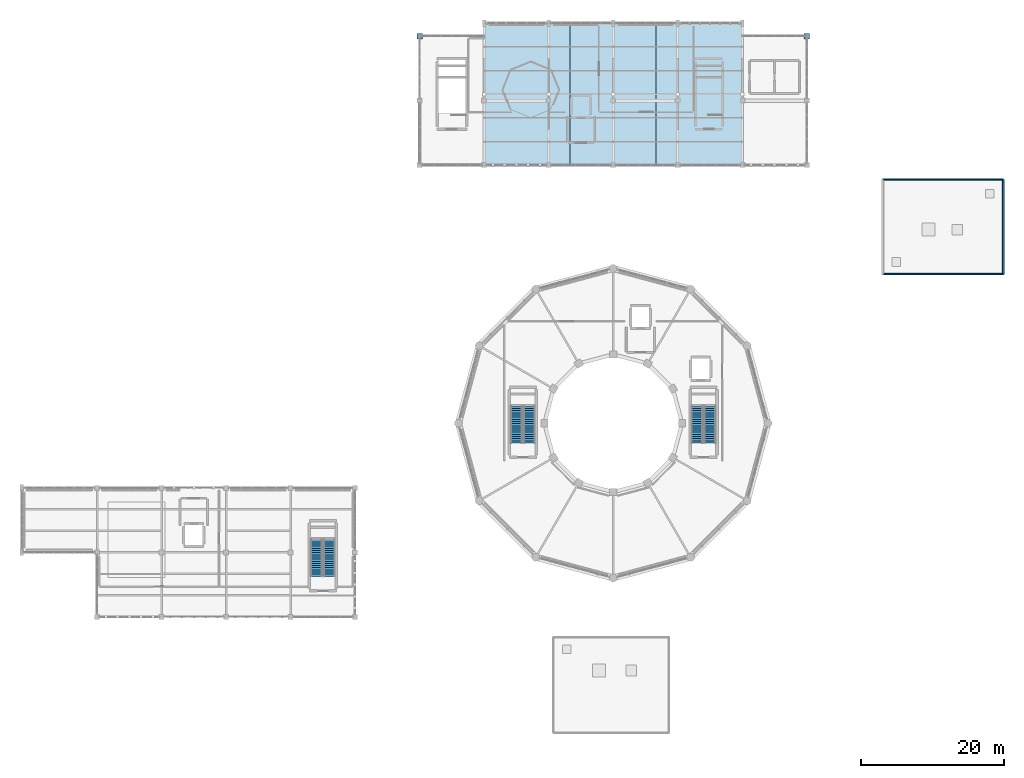
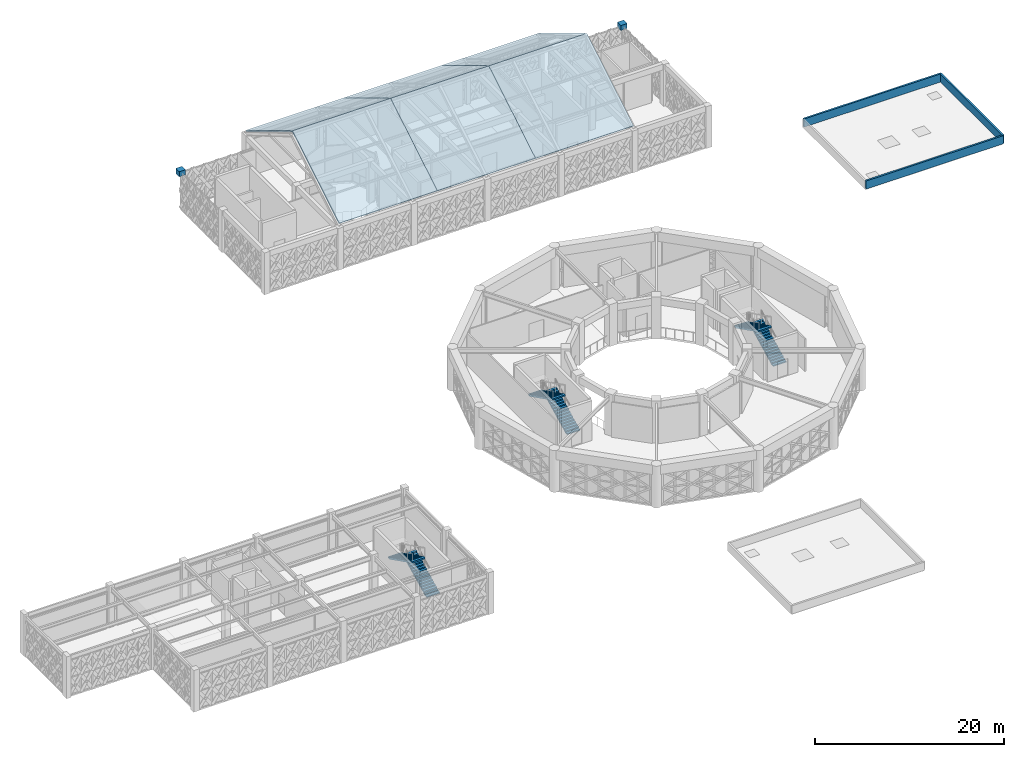
# One storey, part 67 of 72: 6 roofs, 6 stair flights, 3 walls, 2 discrete accessories, 3 elements without a shape of their own.
"""IFC4 building model written with IfcOpenShell, lengths in metres."""

import ifcopenshell
import ifcopenshell.guid

model = None  # the IFC model being written
_history = None  # IfcOwnerHistory: only IFC2X3 demands one
_inside = {}  # id of a spatial element -> (the spatial element, [elements in it])
_under = {}  # id of a project, library or spatial element -> (it, [spatial elements below it])
_declared = {}  # id of a project -> (the project, [libraries it declares])
_typed = {}  # id of a type object -> (the type object, [elements of that type])
_made_of = {}  # id of a material, layer set ... -> (it, [elements and type objects made of it])


def new_model(schema):
    """Start an empty IFC model of exactly this schema.

    Asked for "IFC4X3", IfcOpenShell would pick the latest addendum, in which some entities
    have other attributes; the version numbers below select the first issue.
    IFC2X3 requires an IfcOwnerHistory on every rooted entity: one is made here for all.
    """
    global model, _history
    if schema == "IFC4X3":
        model = ifcopenshell.file(schema_version=(4, 3, 0, 0))
    else:
        model = ifcopenshell.file(schema=schema)
    _inside.clear()
    _under.clear()
    _declared.clear()
    _typed.clear()
    _made_of.clear()
    _history = None
    if model.schema == "IFC2X3":
        org = make("IfcOrganization", Name="unknown")
        user = make(
            "IfcPersonAndOrganization",
            ThePerson=make("IfcPerson", FamilyName="unknown"),
            TheOrganization=org,
        )
        app = make(
            "IfcApplication",
            ApplicationDeveloper=org,
            Version="unknown",
            ApplicationFullName="unknown",
            ApplicationIdentifier="unknown",
        )
        _history = make(
            "IfcOwnerHistory",
            OwningUser=user,
            OwningApplication=app,
            ChangeAction="ADDED",
            CreationDate=0,
        )
    return model


def make(cls, **values):
    """One entity of the class cls with the attributes given. An attribute that is None is left unset."""
    return model.create_entity(
        cls, **{name: value for name, value in values.items() if value is not None}
    )


def rooted(cls, **values):
    """An entity with a GlobalId (a new one), such as an element, a storey or a relation."""
    return make(cls, GlobalId=ifcopenshell.guid.new(), OwnerHistory=_history, **values)


def si_unit(unit_type, name, prefix=None):
    """IfcSIUnit, for example si_unit("LENGTHUNIT", "METRE", prefix="MILLI")."""
    return make("IfcSIUnit", UnitType=unit_type, Prefix=prefix, Name=name)


def assignment(units):
    """IfcUnitAssignment: the units of a project."""
    return None if units is None else make("IfcUnitAssignment", Units=units)


def point(xyz):
    """IfcCartesianPoint."""
    return None if xyz is None else make("IfcCartesianPoint", Coordinates=xyz)


def direction(xyz):
    """IfcDirection."""
    return None if xyz is None else make("IfcDirection", DirectionRatios=xyz)


def frame(location, z_axis=None, x_axis=None):
    """IfcAxis2Placement3D, a coordinate frame: its origin and axes. An axis left out is left unset."""
    return make(
        "IfcAxis2Placement3D",
        Location=point(location),
        Axis=direction(z_axis),
        RefDirection=direction(x_axis),
    )


def frame_2d(location, x_axis=None):
    """IfcAxis2Placement2D, a coordinate frame in the plane: its origin and x axis."""
    return make(
        "IfcAxis2Placement2D", Location=point(location), RefDirection=direction(x_axis)
    )


def origin():
    """The frame at (0, 0, 0) with its axes left unset."""
    return frame((0.0, 0.0, 0.0))


def origin_2d():
    """The frame at (0, 0) in the plane with its x axis left unset."""
    return frame_2d((0.0, 0.0))


def place(relative_to, where):
    """IfcLocalPlacement: puts the frame where relative to a parent placement (None: the world)."""
    return make(
        "IfcLocalPlacement", PlacementRelTo=relative_to, RelativePlacement=where
    )


def context(
    kind, dimensions, precision=None, world=None, true_north=None, identifier=None
):
    """IfcGeometricRepresentationContext, for example the 3D "Model" context."""
    return make(
        "IfcGeometricRepresentationContext",
        ContextIdentifier=identifier,
        ContextType=kind,
        CoordinateSpaceDimension=dimensions,
        Precision=precision,
        WorldCoordinateSystem=world,
        TrueNorth=true_north,
    )


def subcontext(parent, identifier, kind, view, scale=None):
    """IfcGeometricRepresentationSubContext, for example "Body" below "Model"."""
    return make(
        "IfcGeometricRepresentationSubContext",
        ContextIdentifier=identifier,
        ContextType=kind,
        ParentContext=parent,
        TargetScale=scale,
        TargetView=view,
    )


def project(units=None, contexts=None):
    """IfcProject with its units and contexts."""
    return rooted(
        "IfcProject",
        Name="project",
        RepresentationContexts=contexts,
        UnitsInContext=assignment(units),
    )


def spatial(cls, under=None, at=None, **own):
    """A site, building, storey or space (cls), placed at a placement, below another one or the project."""
    s = rooted(cls, ObjectPlacement=at, **own)
    if under is not None:
        _under.setdefault(under.id(), (under, []))[1].append(s)
    return s


def polyline(points):
    """IfcPolyline through the points."""
    return make("IfcPolyline", Points=[point(p) for p in points])


def profile(cls, at=None, kind="AREA", **sizes):
    """A parametric profile (cls). Its sizes go by their IFC names, for example OverallWidth=200.0."""
    return make(cls, ProfileType=kind, Position=at, **sizes)


def rectangle(**sizes):
    """IfcRectangleProfileDef."""
    return profile("IfcRectangleProfileDef", **sizes)


def outline(outer, holes=None, kind="AREA"):
    """IfcArbitraryClosedProfileDef: a profile drawn as a closed curve; with holes, ...WithVoids."""
    if holes is None:
        return make("IfcArbitraryClosedProfileDef", ProfileType=kind, OuterCurve=outer)
    return make(
        "IfcArbitraryProfileDefWithVoids",
        ProfileType=kind,
        OuterCurve=outer,
        InnerCurves=holes,
    )


def extrude(swept, where, along, depth):
    """IfcExtrudedAreaSolid: the profile swept, set in the frame where, extruded along a direction by depth."""
    return make(
        "IfcExtrudedAreaSolid",
        SweptArea=swept,
        Position=where,
        ExtrudedDirection=direction(along),
        Depth=depth,
    )


def shape(context_of_items, identifier, shape_type, items):
    """IfcShapeRepresentation: the items that make up one representation, for example the "Body"."""
    return make(
        "IfcShapeRepresentation",
        ContextOfItems=context_of_items,
        RepresentationIdentifier=identifier,
        RepresentationType=shape_type,
        Items=items,
    )


def material(Name=None, Category=None):
    """IfcMaterial."""
    return make("IfcMaterial", Name=Name, Category=Category)


def layer(
    of_material, thickness, ventilated=None, Name=None, Category=None, Priority=None
):
    """IfcMaterialLayer: one layer of a wall or slab, of a material (None: an air gap)."""
    return make(
        "IfcMaterialLayer",
        Material=of_material,
        LayerThickness=thickness,
        IsVentilated=ventilated,
        Name=Name,
        Category=Category,
        Priority=Priority,
    )


def layer_set(layers, Name=None):
    """IfcMaterialLayerSet."""
    return make("IfcMaterialLayerSet", MaterialLayers=layers, LayerSetName=Name)


def made_of(thing, what):
    """Note that an element or type object is made of a material, layer set ...; save() writes the relation."""
    if what is not None:
        _made_of.setdefault(what.id(), (what, []))[1].append(thing)
    return thing


def type_object(cls, material=None, **own):
    """A type object (cls), such as IfcWallType, which elements share."""
    return made_of(rooted(cls, **own), material)


def element(
    cls,
    number,
    at=None,
    inside=None,
    cuts=None,
    type_object=None,
    material=None,
    context=None,
    identifier="Body",
    shape_type=None,
    held_by="IfcProductDefinitionShape",
    body=None,
    shapes=None,
    **own,
):
    """One element of the class cls, such as IfcWall. Its Tag is "e" and its number.

    at: its placement. inside: the storey or other place that contains it. cuts: it is an
    opening in that element (IfcRelVoidsElement). A single representation is given by context,
    identifier, shape_type and body (its items); several are given by shapes. held_by: the class
    of the entity that holds the representations. save() writes the other relations.
    """
    e = rooted(cls, Tag="e%d" % number, ObjectPlacement=at, **own)
    if body is not None:
        shapes = [shape(context, identifier, shape_type, body)]
    if shapes is not None:
        e.Representation = make(held_by, Representations=shapes)
    if inside is not None:
        _inside.setdefault(inside.id(), (inside, []))[1].append(e)
    if cuts is not None:
        rooted(
            "IfcRelVoidsElement", RelatingBuildingElement=cuts, RelatedOpeningElement=e
        )
    if type_object is not None:
        _typed.setdefault(type_object.id(), (type_object, []))[1].append(e)
    return made_of(e, material)


def aggregate(whole, parts):
    """IfcRelAggregates: a whole, such as a stair, and the parts it consists of."""
    return rooted("IfcRelAggregates", RelatingObject=whole, RelatedObjects=parts)


def save(model, path):
    """Write the relations noted so far, then the file.

    IfcRelAggregates (storeys below a building ...), IfcRelContainedInSpatialStructure (elements
    in a storey), IfcRelDefinesByType, IfcRelAssociatesMaterial and IfcRelDeclares: one each for
    every whole, place, type object, material and project.
    """
    for whole, parts in _under.values():
        aggregate(whole, parts)
    for where, things in _inside.values():
        rooted(
            "IfcRelContainedInSpatialStructure",
            RelatedElements=things,
            RelatingStructure=where,
        )
    for kind, things in _typed.values():
        rooted("IfcRelDefinesByType", RelatedObjects=things, RelatingType=kind)
    for what, things in _made_of.values():
        rooted("IfcRelAssociatesMaterial", RelatedObjects=things, RelatingMaterial=what)
    for by, libraries in _declared.values():
        rooted("IfcRelDeclares", RelatingContext=by, RelatedDefinitions=libraries)
    model.write(path)


model = new_model("IFC4")

# Units and contexts
model_context = context("Model", 3, precision=1e-05, world=origin(), true_north=direction((0.0, 1.0)))
body_context = subcontext(model_context, "Body", "Model", "MODEL_VIEW")
ifc_project = project(units=[si_unit("LENGTHUNIT", "METRE"), si_unit("AREAUNIT", "SQUARE_METRE"), si_unit("VOLUMEUNIT", "CUBIC_METRE"), si_unit("PLANEANGLEUNIT", "RADIAN"), si_unit("MASSUNIT", "GRAM", prefix="KILO")], contexts=[model_context])

# Site, building, storey
site_placement = place(None, origin())
site = spatial("IfcSite", under=ifc_project, at=site_placement, CompositionType="ELEMENT")
building_placement = place(site_placement, origin())
building = spatial("IfcBuilding", under=site, at=building_placement, Name="Haizhuo Lancet Aquarium", CompositionType="ELEMENT")
storey_placement = place(building_placement, frame((0.0, 0.0, 21.60009765625)))
storey = spatial("IfcBuildingStorey", under=building, at=storey_placement, Name="L04", CompositionType="ELEMENT", Elevation=21.60009765625)

# Walls
ifc_material_1 = material(Name="Shandong Grey Limestone Ashlar", Category="masonry")
ifc_layer = layer(ifc_material_1, 0.219970703125)
ifc_layer_set = layer_set([ifc_layer], Name="Shandong Grey Limestone Ashlar")
wall_type = type_object("IfcWallType", Name="EWL-PAR-220", PredefinedType="PARAPET", material=ifc_layer_set)
wall_1_placement = place(storey_placement, frame((37.60009765625, 34.0, 0.0), z_axis=(0.0, 0.0, 1.0), x_axis=(1.0, 0.0, 0.0)))
element("IfcWall", 1, at=wall_1_placement, inside=storey, type_object=wall_type, Name="L04 V7 penthouse roof parapet 1", PredefinedType="PARAPET", context=body_context, shape_type="SweptSolid", body=[
    extrude(rectangle(XDim=16.7998046875, YDim=0.219970703125, at=frame_2d((8.39990234375, 0.0))), origin(), (0.0, 0.0, 1.0), 1.0498046875),
])
wall_2_placement = place(storey_placement, frame((54.39990234375, 34.0, 0.0), z_axis=(0.0, 0.0, 1.0), x_axis=(0.0, -1.0, 0.0)))
element("IfcWall", 2, at=wall_2_placement, inside=storey, type_object=wall_type, Name="L04 V7 penthouse roof parapet 2", PredefinedType="PARAPET", context=body_context, shape_type="SweptSolid", body=[
    extrude(rectangle(XDim=13.199951171875, YDim=0.219970703125, at=frame_2d((6.60009765625, 0.0))), origin(), (0.0, 0.0, 1.0), 1.0498046875),
])
wall_3_placement = place(storey_placement, frame((54.39990234375, 20.800048828125, 0.0), z_axis=(0.0, 0.0, 1.0), x_axis=(-1.0, 0.0, 0.0)))
element("IfcWall", 3, at=wall_3_placement, inside=storey, type_object=wall_type, Name="L04 V7 penthouse roof parapet 3", PredefinedType="PARAPET", context=body_context, shape_type="SweptSolid", body=[
    extrude(rectangle(XDim=16.7998046875, YDim=0.219970703125, at=frame_2d((8.39990234375, 0.0))), origin(), (0.0, 0.0, 1.0), 1.0498046875),
])

# Stair, stair flights
ifc_material_2 = material(Name="Concrete C40/50", Category="concrete")
stair_type = type_object("IfcStairType", Name="STR-HT-1600-54", PredefinedType="HALF_TURN_STAIR", material=ifc_material_2)
stair_1_placement = place(storey_placement, origin())
stair_1 = element("IfcStair", 4, at=stair_1_placement, inside=storey, type_object=stair_type, Name="L04 enclosed exit stair ST-01", PredefinedType="HALF_TURN_STAIR")
stair_flight_type = type_object("IfcStairFlightType", Name="FLT-STR-1600-54", PredefinedType="STRAIGHT", material=ifc_material_2)
stair_flight_1_placement = place(storey_placement, frame((-11.699951171875, -2.75, 0.0), z_axis=(0.0, 0.0, 1.0), x_axis=(0.0, 1.0, 0.0)))
stair_flight_1 = element("IfcStairFlight", 5, at=stair_flight_1_placement, type_object=stair_flight_type, Name="ST-15 flight 1", NumberOfRisers=18, NumberOfTreads=17, PredefinedType="STRAIGHT", RiserHeight=0.15, TreadLength=0.3, context=body_context, shape_type="SweptSolid", body=[
    extrude(outline(polyline([(0.0, 0.0), (0.0, 0.14990234375), (0.300048828125, 0.14990234375), (0.300048828125, 0.300048828125), (0.60009765625, 0.300048828125), (0.60009765625, 0.449951171875), (0.89990234375, 0.449951171875), (0.89990234375, 0.60009765625), (1.199951171875, 0.60009765625), (1.199951171875, 0.75), (1.5, 0.75), (1.5, 0.89990234375), (1.800048828125, 0.89990234375), (1.800048828125, 1.050048828125), (2.10009765625, 1.050048828125), (2.10009765625, 1.199951171875), (2.39990234375, 1.199951171875), (2.39990234375, 1.35009765625), (2.699951171875, 1.35009765625), (2.699951171875, 1.5), (3.0, 1.5), (3.0, 1.64990234375), (3.300048828125, 1.64990234375), (3.300048828125, 1.800048828125), (3.60009765625, 1.800048828125), (3.60009765625, 1.949951171875), (3.89990234375, 1.949951171875), (3.89990234375, 2.10009765625), (4.199951171875, 2.10009765625), (4.199951171875, 2.25), (4.5, 2.25), (4.5, 2.39990234375), (4.800048828125, 2.39990234375), (4.800048828125, 2.550048828125), (5.10009765625, 2.550048828125), (5.10009765625, 2.699951171875), (5.10009765625, 2.37109375), (0.357666015625, 0.0), (0.0, 0.0)])), frame((0.0, 0.800048828125, 0.0), z_axis=(0.0, -1.0, 0.0), x_axis=(1.0, 0.0, 0.0)), (0.0, 0.0, 1.0), 1.60009765625),
])
stair_flight_2_placement = place(storey_placement, frame((-13.5, 2.35009765625, 2.699951171875), z_axis=(0.0, 0.0, 1.0), x_axis=(0.0, -1.0, 0.0)))
stair_flight_2 = element("IfcStairFlight", 6, at=stair_flight_2_placement, type_object=stair_flight_type, Name="ST-15 flight 2", NumberOfRisers=18, NumberOfTreads=17, PredefinedType="STRAIGHT", RiserHeight=0.15, TreadLength=0.3, context=body_context, shape_type="SweptSolid", body=[
    extrude(outline(polyline([(0.0, 0.0), (0.0, 0.14990234375), (0.300048828125, 0.14990234375), (0.300048828125, 0.300048828125), (0.60009765625, 0.300048828125), (0.60009765625, 0.449951171875), (0.89990234375, 0.449951171875), (0.89990234375, 0.60009765625), (1.199951171875, 0.60009765625), (1.199951171875, 0.75), (1.5, 0.75), (1.5, 0.89990234375), (1.800048828125, 0.89990234375), (1.800048828125, 1.050048828125), (2.10009765625, 1.050048828125), (2.10009765625, 1.199951171875), (2.39990234375, 1.199951171875), (2.39990234375, 1.35009765625), (2.699951171875, 1.35009765625), (2.699951171875, 1.5), (3.0, 1.5), (3.0, 1.64990234375), (3.300048828125, 1.64990234375), (3.300048828125, 1.800048828125), (3.60009765625, 1.800048828125), (3.60009765625, 1.949951171875), (3.89990234375, 1.949951171875), (3.89990234375, 2.10009765625), (4.199951171875, 2.10009765625), (4.199951171875, 2.25), (4.5, 2.25), (4.5, 2.39990234375), (4.800048828125, 2.39990234375), (4.800048828125, 2.550048828125), (5.10009765625, 2.550048828125), (5.10009765625, 2.699951171875), (5.10009765625, 2.37109375), (0.357666015625, 0.0), (0.0, 0.0)])), frame((0.0, 0.800048828125, 0.0), z_axis=(0.0, -1.0, 0.0), x_axis=(1.0, 0.0, 0.0)), (0.0, 0.0, 1.0), 1.60009765625),
])
aggregate(stair_1, [stair_flight_1, stair_flight_2])

stair_2_placement = place(storey_placement, origin())
stair_2 = element("IfcStair", 7, at=stair_2_placement, inside=storey, type_object=stair_type, Name="L04 enclosed exit stair ST-02", PredefinedType="HALF_TURN_STAIR")
stair_flight_3_placement = place(storey_placement, frame((13.5, -2.75, 0.0), z_axis=(0.0, 0.0, 1.0), x_axis=(0.0, 1.0, 0.0)))
stair_flight_3 = element("IfcStairFlight", 8, at=stair_flight_3_placement, type_object=stair_flight_type, Name="ST-15 flight 1", NumberOfRisers=18, NumberOfTreads=17, PredefinedType="STRAIGHT", RiserHeight=0.15, TreadLength=0.3, context=body_context, shape_type="SweptSolid", body=[
    extrude(outline(polyline([(0.0, 0.0), (0.0, 0.14990234375), (0.300048828125, 0.14990234375), (0.300048828125, 0.300048828125), (0.60009765625, 0.300048828125), (0.60009765625, 0.449951171875), (0.89990234375, 0.449951171875), (0.89990234375, 0.60009765625), (1.199951171875, 0.60009765625), (1.199951171875, 0.75), (1.5, 0.75), (1.5, 0.89990234375), (1.800048828125, 0.89990234375), (1.800048828125, 1.050048828125), (2.10009765625, 1.050048828125), (2.10009765625, 1.199951171875), (2.39990234375, 1.199951171875), (2.39990234375, 1.35009765625), (2.699951171875, 1.35009765625), (2.699951171875, 1.5), (3.0, 1.5), (3.0, 1.64990234375), (3.300048828125, 1.64990234375), (3.300048828125, 1.800048828125), (3.60009765625, 1.800048828125), (3.60009765625, 1.949951171875), (3.89990234375, 1.949951171875), (3.89990234375, 2.10009765625), (4.199951171875, 2.10009765625), (4.199951171875, 2.25), (4.5, 2.25), (4.5, 2.39990234375), (4.800048828125, 2.39990234375), (4.800048828125, 2.550048828125), (5.10009765625, 2.550048828125), (5.10009765625, 2.699951171875), (5.10009765625, 2.37109375), (0.357666015625, 0.0), (0.0, 0.0)])), frame((0.0, 0.800048828125, 0.0), z_axis=(0.0, -1.0, 0.0), x_axis=(1.0, 0.0, 0.0)), (0.0, 0.0, 1.0), 1.60009765625),
])
stair_flight_4_placement = place(storey_placement, frame((11.699951171875, 2.35009765625, 2.699951171875), z_axis=(0.0, 0.0, 1.0), x_axis=(0.0, -1.0, 0.0)))
stair_flight_4 = element("IfcStairFlight", 9, at=stair_flight_4_placement, type_object=stair_flight_type, Name="ST-15 flight 2", NumberOfRisers=18, NumberOfTreads=17, PredefinedType="STRAIGHT", RiserHeight=0.15, TreadLength=0.3, context=body_context, shape_type="SweptSolid", body=[
    extrude(outline(polyline([(0.0, 0.0), (0.0, 0.14990234375), (0.300048828125, 0.14990234375), (0.300048828125, 0.300048828125), (0.60009765625, 0.300048828125), (0.60009765625, 0.449951171875), (0.89990234375, 0.449951171875), (0.89990234375, 0.60009765625), (1.199951171875, 0.60009765625), (1.199951171875, 0.75), (1.5, 0.75), (1.5, 0.89990234375), (1.800048828125, 0.89990234375), (1.800048828125, 1.050048828125), (2.10009765625, 1.050048828125), (2.10009765625, 1.199951171875), (2.39990234375, 1.199951171875), (2.39990234375, 1.35009765625), (2.699951171875, 1.35009765625), (2.699951171875, 1.5), (3.0, 1.5), (3.0, 1.64990234375), (3.300048828125, 1.64990234375), (3.300048828125, 1.800048828125), (3.60009765625, 1.800048828125), (3.60009765625, 1.949951171875), (3.89990234375, 1.949951171875), (3.89990234375, 2.10009765625), (4.199951171875, 2.10009765625), (4.199951171875, 2.25), (4.5, 2.25), (4.5, 2.39990234375), (4.800048828125, 2.39990234375), (4.800048828125, 2.550048828125), (5.10009765625, 2.550048828125), (5.10009765625, 2.699951171875), (5.10009765625, 2.37109375), (0.357666015625, 0.0), (0.0, 0.0)])), frame((0.0, 0.800048828125, 0.0), z_axis=(0.0, -1.0, 0.0), x_axis=(1.0, 0.0, 0.0)), (0.0, 0.0, 1.0), 1.60009765625),
])
aggregate(stair_2, [stair_flight_3, stair_flight_4])

stair_3_placement = place(storey_placement, origin())
stair_3 = element("IfcStair", 10, at=stair_3_placement, inside=storey, type_object=stair_type, Name="L04 enclosed exit stair ST-09", PredefinedType="HALF_TURN_STAIR")
stair_flight_5_placement = place(storey_placement, frame((-39.60009765625, -21.35009765625, 0.0), z_axis=(0.0, 0.0, 1.0), x_axis=(0.0, 1.0, 0.0)))
stair_flight_5 = element("IfcStairFlight", 11, at=stair_flight_5_placement, type_object=stair_flight_type, Name="ST-15 flight 1", NumberOfRisers=18, NumberOfTreads=17, PredefinedType="STRAIGHT", RiserHeight=0.15, TreadLength=0.3, context=body_context, shape_type="SweptSolid", body=[
    extrude(outline(polyline([(0.0, 0.0), (0.0, 0.14990234375), (0.300048828125, 0.14990234375), (0.300048828125, 0.300048828125), (0.60009765625, 0.300048828125), (0.60009765625, 0.449951171875), (0.89990234375, 0.449951171875), (0.89990234375, 0.60009765625), (1.199951171875, 0.60009765625), (1.199951171875, 0.75), (1.5, 0.75), (1.5, 0.89990234375), (1.800048828125, 0.89990234375), (1.800048828125, 1.050048828125), (2.10009765625, 1.050048828125), (2.10009765625, 1.199951171875), (2.39990234375, 1.199951171875), (2.39990234375, 1.35009765625), (2.699951171875, 1.35009765625), (2.699951171875, 1.5), (3.0, 1.5), (3.0, 1.64990234375), (3.300048828125, 1.64990234375), (3.300048828125, 1.800048828125), (3.60009765625, 1.800048828125), (3.60009765625, 1.949951171875), (3.89990234375, 1.949951171875), (3.89990234375, 2.10009765625), (4.199951171875, 2.10009765625), (4.199951171875, 2.25), (4.5, 2.25), (4.5, 2.39990234375), (4.800048828125, 2.39990234375), (4.800048828125, 2.550048828125), (5.10009765625, 2.550048828125), (5.10009765625, 2.699951171875), (5.10009765625, 2.37109375), (0.357666015625, 0.0), (0.0, 0.0)])), frame((0.0, 0.800048828125, 0.0), z_axis=(0.0, -1.0, 0.0), x_axis=(1.0, 0.0, 0.0)), (0.0, 0.0, 1.0), 1.60009765625),
])
stair_flight_6_placement = place(storey_placement, frame((-41.39990234375, -16.25, 2.699951171875), z_axis=(0.0, 0.0, 1.0), x_axis=(0.0, -1.0, 0.0)))
stair_flight_6 = element("IfcStairFlight", 12, at=stair_flight_6_placement, type_object=stair_flight_type, Name="ST-15 flight 2", NumberOfRisers=18, NumberOfTreads=17, PredefinedType="STRAIGHT", RiserHeight=0.15, TreadLength=0.3, context=body_context, shape_type="SweptSolid", body=[
    extrude(outline(polyline([(0.0, 0.0), (0.0, 0.14990234375), (0.300048828125, 0.14990234375), (0.300048828125, 0.300048828125), (0.60009765625, 0.300048828125), (0.60009765625, 0.449951171875), (0.89990234375, 0.449951171875), (0.89990234375, 0.60009765625), (1.199951171875, 0.60009765625), (1.199951171875, 0.75), (1.5, 0.75), (1.5, 0.89990234375), (1.800048828125, 0.89990234375), (1.800048828125, 1.050048828125), (2.10009765625, 1.050048828125), (2.10009765625, 1.199951171875), (2.39990234375, 1.199951171875), (2.39990234375, 1.35009765625), (2.699951171875, 1.35009765625), (2.699951171875, 1.5), (3.0, 1.5), (3.0, 1.64990234375), (3.300048828125, 1.64990234375), (3.300048828125, 1.800048828125), (3.60009765625, 1.800048828125), (3.60009765625, 1.949951171875), (3.89990234375, 1.949951171875), (3.89990234375, 2.10009765625), (4.199951171875, 2.10009765625), (4.199951171875, 2.25), (4.5, 2.25), (4.5, 2.39990234375), (4.800048828125, 2.39990234375), (4.800048828125, 2.550048828125), (5.10009765625, 2.550048828125), (5.10009765625, 2.699951171875), (5.10009765625, 2.37109375), (0.357666015625, 0.0), (0.0, 0.0)])), frame((0.0, 0.800048828125, 0.0), z_axis=(0.0, -1.0, 0.0), x_axis=(1.0, 0.0, 0.0)), (0.0, 0.0, 1.0), 1.60009765625),
])
aggregate(stair_3, [stair_flight_5, stair_flight_6])

# Roofs
ifc_material_3 = material(Name="Standing-Seam Titanium Zinc", Category="steel")
roof_type = type_object("IfcRoofType", Name="RFT-HIP_ROOF", PredefinedType="HIP_ROOF", material=ifc_material_3)
roof_1_placement = place(storey_placement, frame((-18.0, 36.0, 5.789794921875), z_axis=(0.0, -0.514573493782, 0.857446277907), x_axis=(1.0, 0.0, 0.0)))
element("IfcRoof", 13, at=roof_1_placement, inside=storey, type_object=roof_type, material=ifc_material_3, Name="V5 Gothic pitched roof 1 S", PredefinedType="HIP_ROOF", context=body_context, shape_type="SweptSolid", body=[
    extrude(outline(polyline([(0.0, 0.0), (12.0, 0.0), (12.0, 11.545798960039965), (0.0, 11.545798960039965), (0.0, 0.0)])), origin(), (0.0, 0.0, -1.0), 0.159912109375),
])
roof_2_placement = place(storey_placement, frame((-6.0, 55.800048828125, 5.789794921875), z_axis=(0.0, 0.514564164163, 0.85745187676), x_axis=(-1.0, 0.0, 0.0)))
element("IfcRoof", 14, at=roof_2_placement, inside=storey, type_object=roof_type, material=ifc_material_3, Name="V5 Gothic pitched roof 1 N", PredefinedType="HIP_ROOF", context=body_context, shape_type="SweptSolid", body=[
    extrude(outline(polyline([(0.0, 0.0), (12.0, 0.0), (12.0, 11.546008298193618), (0.0, 11.546008298193618), (0.0, 0.0)])), origin(), (0.0, 0.0, -1.0), 0.159912109375),
])
roof_3_placement = place(storey_placement, frame((-6.0, 36.0, 5.789794921875), z_axis=(0.0, -0.514573493782, 0.857446277907), x_axis=(1.0, 0.0, 0.0)))
element("IfcRoof", 15, at=roof_3_placement, inside=storey, type_object=roof_type, material=ifc_material_3, Name="V5 Gothic pitched roof 2 S", PredefinedType="HIP_ROOF", context=body_context, shape_type="SweptSolid", body=[
    extrude(outline(polyline([(0.0, 0.0), (12.0, 0.0), (12.0, 11.545798960039965), (0.0, 11.545798960039965), (0.0, 0.0)])), origin(), (0.0, 0.0, -1.0), 0.159912109375),
])
roof_4_placement = place(storey_placement, frame((6.0, 55.800048828125, 5.789794921875), z_axis=(0.0, 0.514564164163, 0.85745187676), x_axis=(-1.0, 0.0, 0.0)))
element("IfcRoof", 16, at=roof_4_placement, inside=storey, type_object=roof_type, material=ifc_material_3, Name="V5 Gothic pitched roof 2 N", PredefinedType="HIP_ROOF", context=body_context, shape_type="SweptSolid", body=[
    extrude(outline(polyline([(0.0, 0.0), (12.0, 0.0), (12.0, 11.546008298193618), (0.0, 11.546008298193618), (0.0, 0.0)])), origin(), (0.0, 0.0, -1.0), 0.159912109375),
])
roof_5_placement = place(storey_placement, frame((6.0, 36.0, 5.789794921875), z_axis=(0.0, -0.514573493782, 0.857446277907), x_axis=(1.0, 0.0, 0.0)))
element("IfcRoof", 17, at=roof_5_placement, inside=storey, type_object=roof_type, material=ifc_material_3, Name="V5 Gothic pitched roof 3 S", PredefinedType="HIP_ROOF", context=body_context, shape_type="SweptSolid", body=[
    extrude(outline(polyline([(0.0, 0.0), (12.0, 0.0), (12.0, 11.545798960039965), (0.0, 11.545798960039965), (0.0, 0.0)])), origin(), (0.0, 0.0, -1.0), 0.159912109375),
])
roof_6_placement = place(storey_placement, frame((18.0, 55.800048828125, 5.789794921875), z_axis=(0.0, 0.514564164163, 0.85745187676), x_axis=(-1.0, 0.0, 0.0)))
element("IfcRoof", 18, at=roof_6_placement, inside=storey, type_object=roof_type, material=ifc_material_3, Name="V5 Gothic pitched roof 3 N", PredefinedType="HIP_ROOF", context=body_context, shape_type="SweptSolid", body=[
    extrude(outline(polyline([(0.0, 0.0), (12.0, 0.0), (12.0, 11.546008298193618), (0.0, 11.546008298193618), (0.0, 0.0)])), origin(), (0.0, 0.0, -1.0), 0.159912109375),
])

# Discrete accessories
ifc_material_4 = material(Name="Steel S355", Category="steel")
discrete_accessory_type = type_object("IfcDiscreteAccessoryType", Name="ACC-END-CAP", PredefinedType="BRACKET", material=ifc_material_4)
for number, where, z_axis, x_axis, name in (
    (19, (27.0, 54.0, 4.375), (0.0, 0.0, 1.0), (1.0, 0.0, 0.0), "L04 welded Steel S355 brace end-cap bracket EC-V5-L04-E"),
    (20, (-27.0, 54.0, 4.375), (0.0, 0.0, 1.0), (1.0, 0.0, 0.0), "L04 welded Steel S355 brace end-cap bracket EC-V5-L04-W"),
):
    element("IfcDiscreteAccessory", number, at=place(storey_placement, frame(where, z_axis=z_axis, x_axis=x_axis)), inside=storey, type_object=discrete_accessory_type, material=ifc_material_4, Name=name, PredefinedType="BRACKET", context=body_context, shape_type="SweptSolid", body=[
        extrude(rectangle(XDim=0.75, YDim=0.75, at=origin_2d()), origin(), (0.0, 0.0, 1.0), 0.64990234375),
    ])

save(model, "model.ifc")
